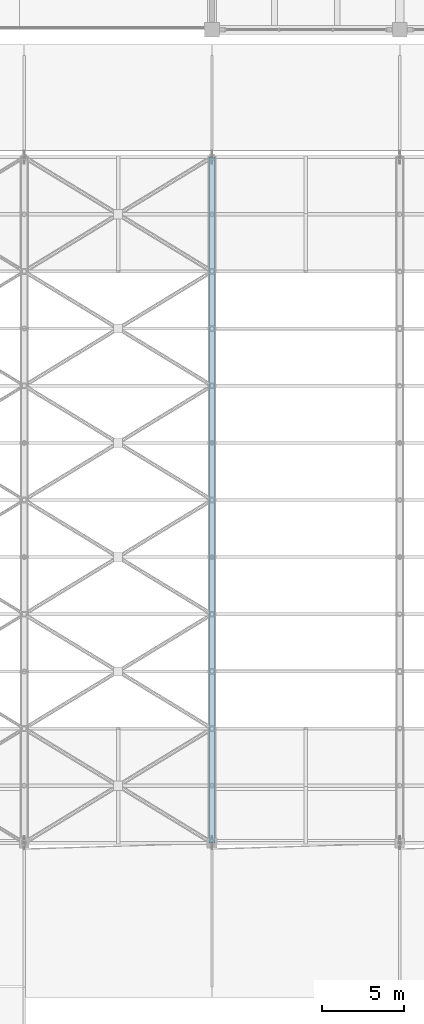
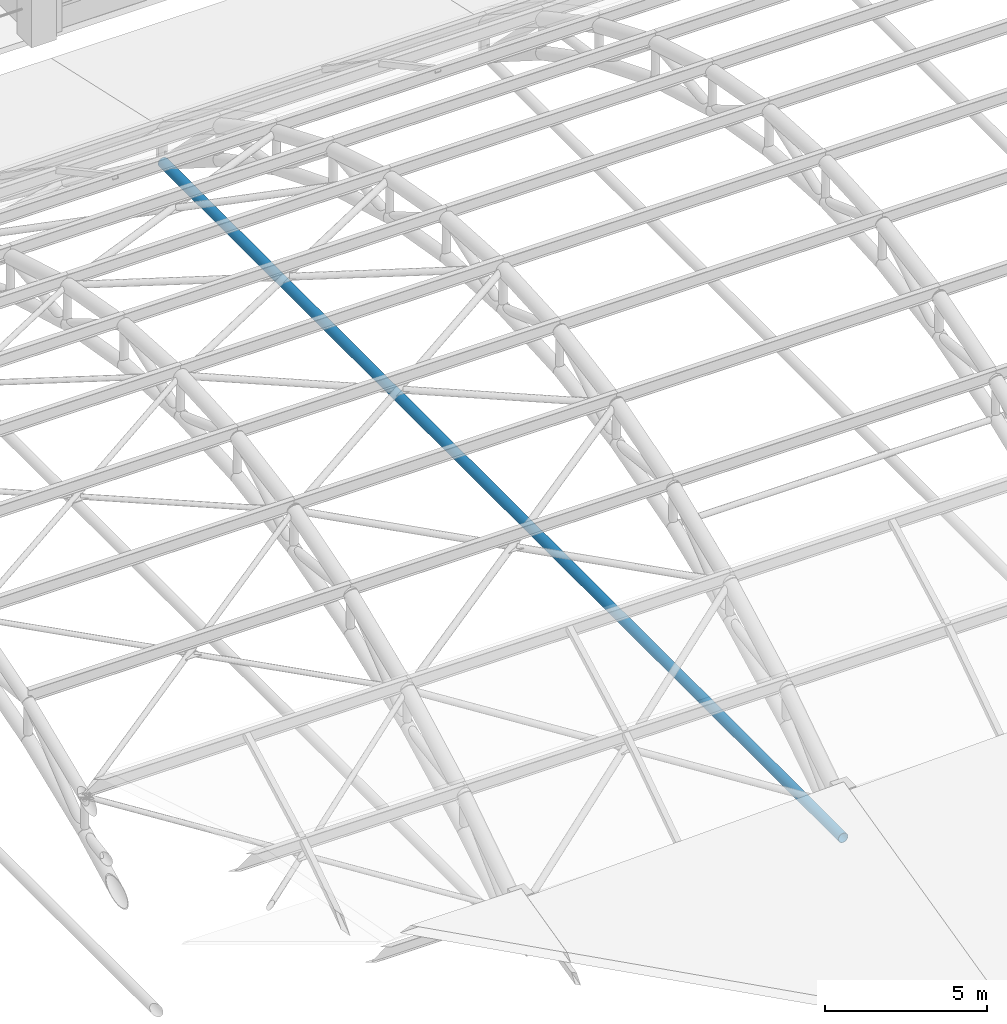
# One storey, part 17 of 154: 1 member.
"""IFC4 building model written with IfcOpenShell, lengths in metres."""

from ifc_helpers import new_model, si_unit, direction, frame, origin, origin_2d, place, context, subcontext, project, spatial, hollow_circle, extrude, material, material_profile, profile_set, type_object, element, save


model = new_model("IFC4")

# Units and contexts
model_context = context("Model", 3, precision=1e-05, world=origin(), true_north=direction((0.0, 1.0)))
body_context = subcontext(model_context, "Body", "Model", "MODEL_VIEW")
ifc_project = project(units=[si_unit("LENGTHUNIT", "METRE"), si_unit("AREAUNIT", "SQUARE_METRE"), si_unit("VOLUMEUNIT", "CUBIC_METRE"), si_unit("PLANEANGLEUNIT", "RADIAN"), si_unit("MASSUNIT", "GRAM", prefix="KILO")], contexts=[model_context])

# Site, building, storey
site_placement = place(None, origin())
site = spatial("IfcSite", under=ifc_project, at=site_placement, CompositionType="ELEMENT")
building_placement = place(site_placement, origin())
building = spatial("IfcBuilding", under=site, at=building_placement, Name="Ologun Quay Terminus", CompositionType="ELEMENT")
storey_placement = place(building_placement, frame((0.0, 0.0, 13.800048828125)))
storey = spatial("IfcBuildingStorey", under=building, at=storey_placement, Name="L03", CompositionType="ELEMENT", Elevation=13.800048828125)

# Member
ifc_material = material(Name="Steel S355", Category="steel")
ifc_material_profile = material_profile(ifc_material, hollow_circle(Radius=0.177734375, WallThickness=0.012451171875, at=origin_2d()), Name="CHS 355.6x12.5")
ifc_profile_set = profile_set([ifc_material_profile], Name="Steel S355")
member_type = type_object("IfcMemberType", Name="Arch Horizontal Tie Chord CHS355", PredefinedType="CHORD", material=ifc_profile_set)
member_placement = place(storey_placement, frame((23.0, 36.0, 0.0), z_axis=(0.0, 1.0, 0.0), x_axis=(-1.0, 0.0, 0.0)))
element("IfcMember", 1, at=member_placement, inside=storey, type_object=member_type, Name="AT1 Arch Tie Chord Grid 3", PredefinedType="CHORD", context=body_context, shape_type="SweptSolid", body=[
    extrude(hollow_circle(Radius=0.177734375, WallThickness=0.012451171875, at=origin_2d()), origin(), (0.0, 0.0, 1.0), 42.0),
])

save(model, "model.ifc")
